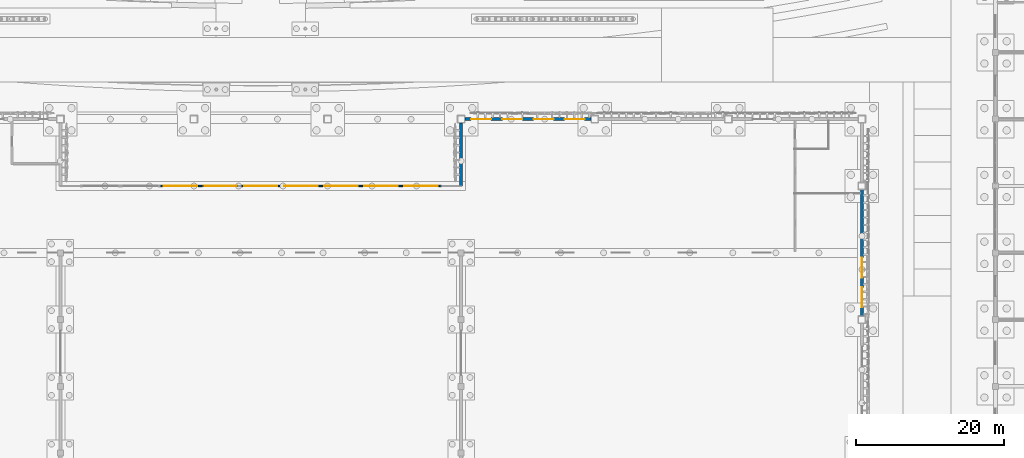
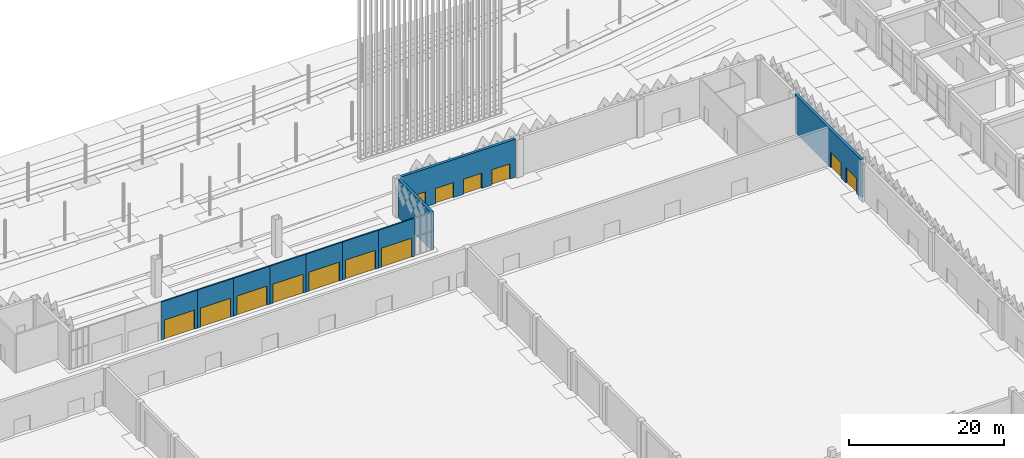
# One storey, part 96 of 198: 13 doors, 10 walls, 13 openings.
"""IFC4 building model written with IfcOpenShell, lengths in metres."""

from ifc_helpers import new_model, si_unit, direction, frame, frame_2d, origin, place, context, subcontext, project, spatial, rectangle, extrude, material, layer, layer_set, type_object, element, fill, save


model = new_model("IFC4")

# Units and contexts
model_context = context("Model", 3, precision=1e-05, world=origin(), true_north=direction((0.0, 1.0)))
body_context = subcontext(model_context, "Body", "Model", "MODEL_VIEW")
ifc_project = project(units=[si_unit("LENGTHUNIT", "METRE"), si_unit("AREAUNIT", "SQUARE_METRE"), si_unit("VOLUMEUNIT", "CUBIC_METRE"), si_unit("PLANEANGLEUNIT", "RADIAN"), si_unit("MASSUNIT", "GRAM", prefix="KILO")], contexts=[model_context])

# Site, building, storey
site_placement = place(None, origin())
site = spatial("IfcSite", under=ifc_project, at=site_placement, CompositionType="ELEMENT")
building_placement = place(site_placement, origin())
building = spatial("IfcBuilding", under=site, at=building_placement, Name="Opaline Strait Convention Centre", CompositionType="ELEMENT")
storey_placement = place(building_placement, origin())
storey = spatial("IfcBuildingStorey", under=building, at=storey_placement, Name="L00", CompositionType="ELEMENT", Elevation=0.0)

# Wall, opening, door
ifc_material_1 = material(Name="Aluminium framed glazing", Category="aluminium")
ifc_layer_1 = layer(ifc_material_1, 0.199951171875)
ifc_layer_set_1 = layer_set([ifc_layer_1], Name="Aluminium framed glazing")
wall_type_1 = type_object("IfcWallType", Name="Entrance frame wall 200", PredefinedType="STANDARD", material=ifc_layer_set_1)
wall_1_placement = place(storey_placement, frame((166.5, 144.0, 0.0), z_axis=(0.0, 0.0, 1.0), x_axis=(1.0, 0.0, 0.0)))
wall_1 = element("IfcWall", 1, at=wall_1_placement, inside=storey, type_object=wall_type_1, Name="Entrance bay 3", PredefinedType="STANDARD", context=body_context, shape_type="SweptSolid", body=[
    extrude(rectangle(XDim=5.39990234375, YDim=0.199951171875, at=frame_2d((2.699951171875, 0.0))), origin(), (0.0, 0.0, 1.0), 6.0),
])
opening_1_placement = place(wall_1_placement, frame((0.449951171875, 0.0, 0.0)))
opening_1 = element("IfcOpeningElement", 2, at=opening_1_placement, cuts=wall_1, Name="Opening X0-003", PredefinedType="OPENING", context=body_context, shape_type="SweptSolid", body=[
    extrude(rectangle(XDim=4.5, YDim=3.0, at=frame_2d((2.25, 1.5))), frame((0.0, 0.10986328125, 0.0), z_axis=(0.0, -1.0, 0.0), x_axis=(1.0, 0.0, 0.0)), (0.0, 0.0, 1.0), 0.219970703125),
])
door_type_1 = type_object("IfcDoorType", Name="Automatic sliding entrance pair 4500 x 3000", OperationType="DOUBLE_DOOR_SLIDING", PredefinedType="DOOR", material=ifc_material_1)
door_1_placement = place(opening_1_placement, origin())
door_1 = element("IfcDoor", 3, at=door_1_placement, inside=storey, type_object=door_type_1, Name="Entrance sliding door 3", ObjectType="XD17", OperationType="DOUBLE_DOOR_SLIDING", OverallHeight=3.0, OverallWidth=4.5, PredefinedType="DOOR", context=body_context, shape_type="SweptSolid", body=[
    extrude(rectangle(XDim=4.5, YDim=3.0, at=frame_2d((2.25, 1.5))), frame((0.0, 0.02490234375, 0.0), z_axis=(0.0, -1.0, 0.0), x_axis=(1.0, 0.0, 0.0)), (0.0, 0.0, 1.0), 0.050048828125),
])
fill(opening_1, door_1)

wall_2_placement = place(storey_placement, frame((171.89990234375, 144.0, 0.0), z_axis=(0.0, 0.0, 1.0), x_axis=(1.0, 0.0, 0.0)))
wall_2 = element("IfcWall", 4, at=wall_2_placement, inside=storey, type_object=wall_type_1, Name="Entrance bay 4", PredefinedType="STANDARD", context=body_context, shape_type="SweptSolid", body=[
    extrude(rectangle(XDim=5.400146484375, YDim=0.199951171875, at=frame_2d((2.7001953125, 0.0))), origin(), (0.0, 0.0, 1.0), 6.0),
])
opening_2_placement = place(wall_2_placement, frame((0.449951171875, 0.0, 0.0)))
opening_2 = element("IfcOpeningElement", 5, at=opening_2_placement, cuts=wall_2, Name="Opening X0-004", PredefinedType="OPENING", context=body_context, shape_type="SweptSolid", body=[
    extrude(rectangle(XDim=4.5, YDim=3.0, at=frame_2d((2.25, 1.5))), frame((0.0, 0.10986328125, 0.0), z_axis=(0.0, -1.0, 0.0), x_axis=(1.0, 0.0, 0.0)), (0.0, 0.0, 1.0), 0.219970703125),
])
door_2_placement = place(opening_2_placement, origin())
door_2 = element("IfcDoor", 6, at=door_2_placement, inside=storey, type_object=door_type_1, Name="Entrance sliding door 4", ObjectType="XD17", OperationType="DOUBLE_DOOR_SLIDING", OverallHeight=3.0, OverallWidth=4.5, PredefinedType="DOOR", context=body_context, shape_type="SweptSolid", body=[
    extrude(rectangle(XDim=4.5, YDim=3.0, at=frame_2d((2.25, 1.5))), frame((0.0, 0.02490234375, 0.0), z_axis=(0.0, -1.0, 0.0), x_axis=(1.0, 0.0, 0.0)), (0.0, 0.0, 1.0), 0.050048828125),
])
fill(opening_2, door_2)

wall_3_placement = place(storey_placement, frame((177.300048828125, 144.0, 0.0), z_axis=(0.0, 0.0, 1.0), x_axis=(1.0, 0.0, 0.0)))
wall_3 = element("IfcWall", 7, at=wall_3_placement, inside=storey, type_object=wall_type_1, Name="Entrance bay 5", PredefinedType="STANDARD", context=body_context, shape_type="SweptSolid", body=[
    extrude(rectangle(XDim=5.39990234375, YDim=0.199951171875, at=frame_2d((2.699951171875, 0.0))), origin(), (0.0, 0.0, 1.0), 6.0),
])
opening_3_placement = place(wall_3_placement, frame((0.449951171875, 0.0, 0.0)))
opening_3 = element("IfcOpeningElement", 8, at=opening_3_placement, cuts=wall_3, Name="Opening X0-005", PredefinedType="OPENING", context=body_context, shape_type="SweptSolid", body=[
    extrude(rectangle(XDim=4.5, YDim=3.0, at=frame_2d((2.25, 1.5))), frame((0.0, 0.10986328125, 0.0), z_axis=(0.0, -1.0, 0.0), x_axis=(1.0, 0.0, 0.0)), (0.0, 0.0, 1.0), 0.219970703125),
])
door_3_placement = place(opening_3_placement, origin())
door_3 = element("IfcDoor", 9, at=door_3_placement, inside=storey, type_object=door_type_1, Name="Entrance sliding door 5", ObjectType="XD17", OperationType="DOUBLE_DOOR_SLIDING", OverallHeight=3.0, OverallWidth=4.5, PredefinedType="DOOR", context=body_context, shape_type="SweptSolid", body=[
    extrude(rectangle(XDim=4.5, YDim=3.0, at=frame_2d((2.25, 1.5))), frame((0.0, 0.02490234375, 0.0), z_axis=(0.0, -1.0, 0.0), x_axis=(1.0, 0.0, 0.0)), (0.0, 0.0, 1.0), 0.050048828125),
])
fill(opening_3, door_3)

wall_4_placement = place(storey_placement, frame((182.699951171875, 144.0, 0.0), z_axis=(0.0, 0.0, 1.0), x_axis=(1.0, 0.0, 0.0)))
wall_4 = element("IfcWall", 10, at=wall_4_placement, inside=storey, type_object=wall_type_1, Name="Entrance bay 6", PredefinedType="STANDARD", context=body_context, shape_type="SweptSolid", body=[
    extrude(rectangle(XDim=5.400146484375, YDim=0.199951171875, at=frame_2d((2.7001953125, 0.0))), origin(), (0.0, 0.0, 1.0), 6.0),
])
opening_4_placement = place(wall_4_placement, frame((0.449951171875, 0.0, 0.0)))
opening_4 = element("IfcOpeningElement", 11, at=opening_4_placement, cuts=wall_4, Name="Opening X0-006", PredefinedType="OPENING", context=body_context, shape_type="SweptSolid", body=[
    extrude(rectangle(XDim=4.5, YDim=3.0, at=frame_2d((2.25, 1.5))), frame((0.0, 0.10986328125, 0.0), z_axis=(0.0, -1.0, 0.0), x_axis=(1.0, 0.0, 0.0)), (0.0, 0.0, 1.0), 0.219970703125),
])
door_4_placement = place(opening_4_placement, origin())
door_4 = element("IfcDoor", 12, at=door_4_placement, inside=storey, type_object=door_type_1, Name="Entrance sliding door 6", ObjectType="XD17", OperationType="DOUBLE_DOOR_SLIDING", OverallHeight=3.0, OverallWidth=4.5, PredefinedType="DOOR", context=body_context, shape_type="SweptSolid", body=[
    extrude(rectangle(XDim=4.5, YDim=3.0, at=frame_2d((2.25, 1.5))), frame((0.0, 0.02490234375, 0.0), z_axis=(0.0, -1.0, 0.0), x_axis=(1.0, 0.0, 0.0)), (0.0, 0.0, 1.0), 0.050048828125),
])
fill(opening_4, door_4)

wall_5_placement = place(storey_placement, frame((188.10009765625, 144.0, 0.0), z_axis=(0.0, 0.0, 1.0), x_axis=(1.0, 0.0, 0.0)))
wall_5 = element("IfcWall", 13, at=wall_5_placement, inside=storey, type_object=wall_type_1, Name="Entrance bay 7", PredefinedType="STANDARD", context=body_context, shape_type="SweptSolid", body=[
    extrude(rectangle(XDim=5.39990234375, YDim=0.199951171875, at=frame_2d((2.699951171875, 0.0))), origin(), (0.0, 0.0, 1.0), 6.0),
])
opening_5_placement = place(wall_5_placement, frame((0.449951171875, 0.0, 0.0)))
opening_5 = element("IfcOpeningElement", 14, at=opening_5_placement, cuts=wall_5, Name="Opening X0-007", PredefinedType="OPENING", context=body_context, shape_type="SweptSolid", body=[
    extrude(rectangle(XDim=4.5, YDim=3.0, at=frame_2d((2.25, 1.5))), frame((0.0, 0.10986328125, 0.0), z_axis=(0.0, -1.0, 0.0), x_axis=(1.0, 0.0, 0.0)), (0.0, 0.0, 1.0), 0.219970703125),
])
door_5_placement = place(opening_5_placement, origin())
door_5 = element("IfcDoor", 15, at=door_5_placement, inside=storey, type_object=door_type_1, Name="Entrance sliding door 7", ObjectType="XD17", OperationType="DOUBLE_DOOR_SLIDING", OverallHeight=3.0, OverallWidth=4.5, PredefinedType="DOOR", context=body_context, shape_type="SweptSolid", body=[
    extrude(rectangle(XDim=4.5, YDim=3.0, at=frame_2d((2.25, 1.5))), frame((0.0, 0.02490234375, 0.0), z_axis=(0.0, -1.0, 0.0), x_axis=(1.0, 0.0, 0.0)), (0.0, 0.0, 1.0), 0.050048828125),
])
fill(opening_5, door_5)

wall_6_placement = place(storey_placement, frame((193.5, 144.0, 0.0), z_axis=(0.0, 0.0, 1.0), x_axis=(1.0, 0.0, 0.0)))
wall_6 = element("IfcWall", 16, at=wall_6_placement, inside=storey, type_object=wall_type_1, Name="Entrance bay 8", PredefinedType="STANDARD", context=body_context, shape_type="SweptSolid", body=[
    extrude(rectangle(XDim=5.39990234375, YDim=0.199951171875, at=frame_2d((2.699951171875, 0.0))), origin(), (0.0, 0.0, 1.0), 6.0),
])
opening_6_placement = place(wall_6_placement, frame((0.449951171875, 0.0, 0.0)))
opening_6 = element("IfcOpeningElement", 17, at=opening_6_placement, cuts=wall_6, Name="Opening X0-008", PredefinedType="OPENING", context=body_context, shape_type="SweptSolid", body=[
    extrude(rectangle(XDim=4.5, YDim=3.0, at=frame_2d((2.25, 1.5))), frame((0.0, 0.10986328125, 0.0), z_axis=(0.0, -1.0, 0.0), x_axis=(1.0, 0.0, 0.0)), (0.0, 0.0, 1.0), 0.219970703125),
])
door_6_placement = place(opening_6_placement, origin())
door_6 = element("IfcDoor", 18, at=door_6_placement, inside=storey, type_object=door_type_1, Name="Entrance sliding door 8", ObjectType="XD17", OperationType="DOUBLE_DOOR_SLIDING", OverallHeight=3.0, OverallWidth=4.5, PredefinedType="DOOR", context=body_context, shape_type="SweptSolid", body=[
    extrude(rectangle(XDim=4.5, YDim=3.0, at=frame_2d((2.25, 1.5))), frame((0.0, 0.02490234375, 0.0), z_axis=(0.0, -1.0, 0.0), x_axis=(1.0, 0.0, 0.0)), (0.0, 0.0, 1.0), 0.050048828125),
])
fill(opening_6, door_6)

wall_7_placement = place(storey_placement, frame((198.89990234375, 144.0, 0.0), z_axis=(0.0, 0.0, 1.0), x_axis=(1.0, 0.0, 0.0)))
wall_7 = element("IfcWall", 19, at=wall_7_placement, inside=storey, type_object=wall_type_1, Name="Entrance bay 9", PredefinedType="STANDARD", context=body_context, shape_type="SweptSolid", body=[
    extrude(rectangle(XDim=5.400146484375, YDim=0.199951171875, at=frame_2d((2.7001953125, 0.0))), origin(), (0.0, 0.0, 1.0), 6.0),
])
opening_7_placement = place(wall_7_placement, frame((0.449951171875, 0.0, 0.0)))
opening_7 = element("IfcOpeningElement", 20, at=opening_7_placement, cuts=wall_7, Name="Opening X0-009", PredefinedType="OPENING", context=body_context, shape_type="SweptSolid", body=[
    extrude(rectangle(XDim=4.5, YDim=3.0, at=frame_2d((2.25, 1.5))), frame((0.0, 0.10986328125, 0.0), z_axis=(0.0, -1.0, 0.0), x_axis=(1.0, 0.0, 0.0)), (0.0, 0.0, 1.0), 0.219970703125),
])
door_7_placement = place(opening_7_placement, origin())
door_7 = element("IfcDoor", 21, at=door_7_placement, inside=storey, type_object=door_type_1, Name="Entrance sliding door 9", ObjectType="XD17", OperationType="DOUBLE_DOOR_SLIDING", OverallHeight=3.0, OverallWidth=4.5, PredefinedType="DOOR", context=body_context, shape_type="SweptSolid", body=[
    extrude(rectangle(XDim=4.5, YDim=3.0, at=frame_2d((2.25, 1.5))), frame((0.0, 0.02490234375, 0.0), z_axis=(0.0, -1.0, 0.0), x_axis=(1.0, 0.0, 0.0)), (0.0, 0.0, 1.0), 0.050048828125),
])
fill(opening_7, door_7)

# Wall, openings, doors
ifc_material_2 = material(Name="Concrete C40", Category="concrete")
ifc_layer_2 = layer(ifc_material_2, 0.25)
ifc_material_3 = material(Name="Mineral wool insulation")
ifc_layer_3 = layer(ifc_material_3, 0.10009765625)
ifc_material_4 = material(Name="Gypsum board lining")
ifc_layer_4 = layer(ifc_material_4, 0.050048828125)
ifc_layer_set_2 = layer_set([ifc_layer_2, ifc_layer_3, ifc_layer_4], Name="Concrete C40, Mineral wool insulation, Gypsum board lining")
wall_type_2 = type_object("IfcWallType", Name="External wall RC 400 insulated", PredefinedType="SOLIDWALL", material=ifc_layer_set_2)
wall_8_placement = place(storey_placement, frame((207.5, 153.0, 0.0), z_axis=(0.0, 0.0, 1.0), x_axis=(1.0, 0.0, 0.0)))
wall_8 = element("IfcWall", 22, at=wall_8_placement, inside=storey, type_object=wall_type_2, Name="External wall N4", PredefinedType="SOLIDWALL", context=body_context, shape_type="SweptSolid", body=[
    extrude(rectangle(XDim=17.0, YDim=0.39990234375, at=frame_2d((8.5, 0.0))), origin(), (0.0, 0.0, 1.0), 6.0),
])
opening_8_placement = place(wall_8_placement, frame((0.85009765625, 0.0, 0.0)))
opening_8 = element("IfcOpeningElement", 23, at=opening_8_placement, cuts=wall_8, Name="Opening X0-057", PredefinedType="OPENING", context=body_context, shape_type="SweptSolid", body=[
    extrude(rectangle(XDim=2.699951171875, YDim=2.39990234375, at=frame_2d((1.35009765625, 1.199951171875))), frame((0.0, 0.2099609375, 0.0), z_axis=(0.0, -1.0, 0.0), x_axis=(1.0, 0.0, 0.0)), (0.0, 0.0, 1.0), 0.419921875),
])
opening_9_placement = place(wall_8_placement, frame((5.050048828125, 0.0, 0.0)))
opening_9 = element("IfcOpeningElement", 24, at=opening_9_placement, cuts=wall_8, Name="Opening X0-058", PredefinedType="OPENING", context=body_context, shape_type="SweptSolid", body=[
    extrude(rectangle(XDim=2.699951171875, YDim=2.39990234375, at=frame_2d((1.35009765625, 1.199951171875))), frame((0.0, 0.2099609375, 0.0), z_axis=(0.0, -1.0, 0.0), x_axis=(1.0, 0.0, 0.0)), (0.0, 0.0, 1.0), 0.419921875),
])
opening_10_placement = place(wall_8_placement, frame((9.25, 0.0, 0.0)))
opening_10 = element("IfcOpeningElement", 25, at=opening_10_placement, cuts=wall_8, Name="Opening X0-059", PredefinedType="OPENING", context=body_context, shape_type="SweptSolid", body=[
    extrude(rectangle(XDim=2.699951171875, YDim=2.39990234375, at=frame_2d((1.35009765625, 1.199951171875))), frame((0.0, 0.2099609375, 0.0), z_axis=(0.0, -1.0, 0.0), x_axis=(1.0, 0.0, 0.0)), (0.0, 0.0, 1.0), 0.419921875),
])
opening_11_placement = place(wall_8_placement, frame((13.449951171875, 0.0, 0.0)))
opening_11 = element("IfcOpeningElement", 26, at=opening_11_placement, cuts=wall_8, Name="Opening X0-060", PredefinedType="OPENING", context=body_context, shape_type="SweptSolid", body=[
    extrude(rectangle(XDim=2.699951171875, YDim=2.39990234375, at=frame_2d((1.35009765625, 1.199951171875))), frame((0.0, 0.2099609375, 0.0), z_axis=(0.0, -1.0, 0.0), x_axis=(1.0, 0.0, 0.0)), (0.0, 0.0, 1.0), 0.419921875),
])
ifc_material_5 = material(Name="Steel Q235B", Category="steel")
door_type_2 = type_object("IfcDoorType", Name="Exit door pair 2700 x 2400", OperationType="DOUBLE_DOOR_SINGLE_SWING", PredefinedType="DOOR", material=ifc_material_5)
door_8_placement = place(opening_8_placement, origin())
door_8 = element("IfcDoor", 27, at=door_8_placement, inside=storey, type_object=door_type_2, Name="Foyer exit door 5", ObjectType="XD2", OperationType="DOUBLE_DOOR_SINGLE_SWING", OverallHeight=2.39990234375, OverallWidth=2.699951171875, PredefinedType="DOOR", context=body_context, shape_type="SweptSolid", body=[
    extrude(rectangle(XDim=2.699951171875, YDim=2.39990234375, at=frame_2d((1.35009765625, 1.199951171875))), frame((0.0, 0.02490234375, 0.0), z_axis=(0.0, -1.0, 0.0), x_axis=(1.0, 0.0, 0.0)), (0.0, 0.0, 1.0), 0.050048828125),
])
fill(opening_8, door_8)
door_9_placement = place(opening_9_placement, origin())
door_9 = element("IfcDoor", 28, at=door_9_placement, inside=storey, type_object=door_type_2, Name="Foyer exit door 6", ObjectType="XD2", OperationType="DOUBLE_DOOR_SINGLE_SWING", OverallHeight=2.39990234375, OverallWidth=2.699951171875, PredefinedType="DOOR", context=body_context, shape_type="SweptSolid", body=[
    extrude(rectangle(XDim=2.699951171875, YDim=2.39990234375, at=frame_2d((1.35009765625, 1.199951171875))), frame((0.0, 0.02490234375, 0.0), z_axis=(0.0, -1.0, 0.0), x_axis=(1.0, 0.0, 0.0)), (0.0, 0.0, 1.0), 0.050048828125),
])
fill(opening_9, door_9)
door_10_placement = place(opening_10_placement, origin())
door_10 = element("IfcDoor", 29, at=door_10_placement, inside=storey, type_object=door_type_2, Name="Foyer exit door 7", ObjectType="XD2", OperationType="DOUBLE_DOOR_SINGLE_SWING", OverallHeight=2.39990234375, OverallWidth=2.699951171875, PredefinedType="DOOR", context=body_context, shape_type="SweptSolid", body=[
    extrude(rectangle(XDim=2.699951171875, YDim=2.39990234375, at=frame_2d((1.35009765625, 1.199951171875))), frame((0.0, 0.02490234375, 0.0), z_axis=(0.0, -1.0, 0.0), x_axis=(1.0, 0.0, 0.0)), (0.0, 0.0, 1.0), 0.050048828125),
])
fill(opening_10, door_10)
door_11_placement = place(opening_11_placement, origin())
door_11 = element("IfcDoor", 30, at=door_11_placement, inside=storey, type_object=door_type_2, Name="Foyer exit door 8", ObjectType="XD2", OperationType="DOUBLE_DOOR_SINGLE_SWING", OverallHeight=2.39990234375, OverallWidth=2.699951171875, PredefinedType="DOOR", context=body_context, shape_type="SweptSolid", body=[
    extrude(rectangle(XDim=2.699951171875, YDim=2.39990234375, at=frame_2d((1.35009765625, 1.199951171875))), frame((0.0, 0.02490234375, 0.0), z_axis=(0.0, -1.0, 0.0), x_axis=(1.0, 0.0, 0.0)), (0.0, 0.0, 1.0), 0.050048828125),
])
fill(opening_11, door_11)

wall_9_placement = place(storey_placement, frame((261.0, 126.5, 0.0), z_axis=(0.0, 0.0, 1.0), x_axis=(0.0, 1.0, 0.0)))
wall_9 = element("IfcWall", 31, at=wall_9_placement, inside=storey, type_object=wall_type_2, Name="External wall E6", PredefinedType="SOLIDWALL", context=body_context, shape_type="SweptSolid", body=[
    extrude(rectangle(XDim=17.0, YDim=0.39990234375, at=frame_2d((8.5, 0.0))), origin(), (0.0, 0.0, 1.0), 6.0),
])
opening_12_placement = place(wall_9_placement, frame((1.14990234375, 0.0, 0.0)))
opening_12 = element("IfcOpeningElement", 32, at=opening_12_placement, cuts=wall_9, Name="Opening X0-048", PredefinedType="OPENING", context=body_context, shape_type="SweptSolid", body=[
    extrude(rectangle(XDim=2.699951171875, YDim=2.39990234375, at=frame_2d((1.35009765625, 1.199951171875))), frame((0.0, 0.2099609375, 0.0), z_axis=(0.0, -1.0, 0.0), x_axis=(1.0, 0.0, 0.0)), (0.0, 0.0, 1.0), 0.419921875),
])
opening_13_placement = place(wall_9_placement, frame((5.14990234375, 0.0, 0.0)))
opening_13 = element("IfcOpeningElement", 33, at=opening_13_placement, cuts=wall_9, Name="Opening X0-049", PredefinedType="OPENING", context=body_context, shape_type="SweptSolid", body=[
    extrude(rectangle(XDim=2.699951171875, YDim=2.39990234375, at=frame_2d((1.35009765625, 1.199951171875))), frame((0.0, 0.2099609375, 0.0), z_axis=(0.0, -1.0, 0.0), x_axis=(1.0, 0.0, 0.0)), (0.0, 0.0, 1.0), 0.419921875),
])
door_12_placement = place(opening_12_placement, frame((2.699951171875, 0.0, 0.0), z_axis=(0.0, 0.0, 1.0), x_axis=(-1.0, 0.0, 0.0)))
door_12 = element("IfcDoor", 34, at=door_12_placement, inside=storey, type_object=door_type_2, Name="Hall exit door E7", ObjectType="XD2", OperationType="DOUBLE_DOOR_SINGLE_SWING", OverallHeight=2.39990234375, OverallWidth=2.699951171875, PredefinedType="DOOR", context=body_context, shape_type="SweptSolid", body=[
    extrude(rectangle(XDim=2.699951171875, YDim=2.39990234375, at=frame_2d((1.35009765625, 1.199951171875))), frame((0.0, 0.02490234375, 0.0), z_axis=(0.0, -1.0, 0.0), x_axis=(1.0, 0.0, 0.0)), (0.0, 0.0, 1.0), 0.050048828125),
])
fill(opening_12, door_12)
door_13_placement = place(opening_13_placement, frame((2.699951171875, 0.0, 0.0), z_axis=(0.0, 0.0, 1.0), x_axis=(-1.0, 0.0, 0.0)))
door_13 = element("IfcDoor", 35, at=door_13_placement, inside=storey, type_object=door_type_2, Name="Hall exit door E8", ObjectType="XD2", OperationType="DOUBLE_DOOR_SINGLE_SWING", OverallHeight=2.39990234375, OverallWidth=2.699951171875, PredefinedType="DOOR", context=body_context, shape_type="SweptSolid", body=[
    extrude(rectangle(XDim=2.699951171875, YDim=2.39990234375, at=frame_2d((1.35009765625, 1.199951171875))), frame((0.0, 0.02490234375, 0.0), z_axis=(0.0, -1.0, 0.0), x_axis=(1.0, 0.0, 0.0)), (0.0, 0.0, 1.0), 0.050048828125),
])
fill(opening_13, door_13)

# Wall
wall_10_placement = place(storey_placement, frame((207.0, 144.030029296875, 0.0), z_axis=(0.0, 0.0, 1.0), x_axis=(0.0, 1.0, 0.0)))
element("IfcWall", 36, at=wall_10_placement, inside=storey, type_object=wall_type_2, Name="Recess side wall E", PredefinedType="SOLIDWALL", context=body_context, shape_type="SweptSolid", body=[
    extrude(rectangle(XDim=8.469970703125, YDim=0.39990234375, at=frame_2d((4.23486328125, 0.0))), origin(), (0.0, 0.0, 1.0), 6.0),
])

save(model, "model.ifc")
